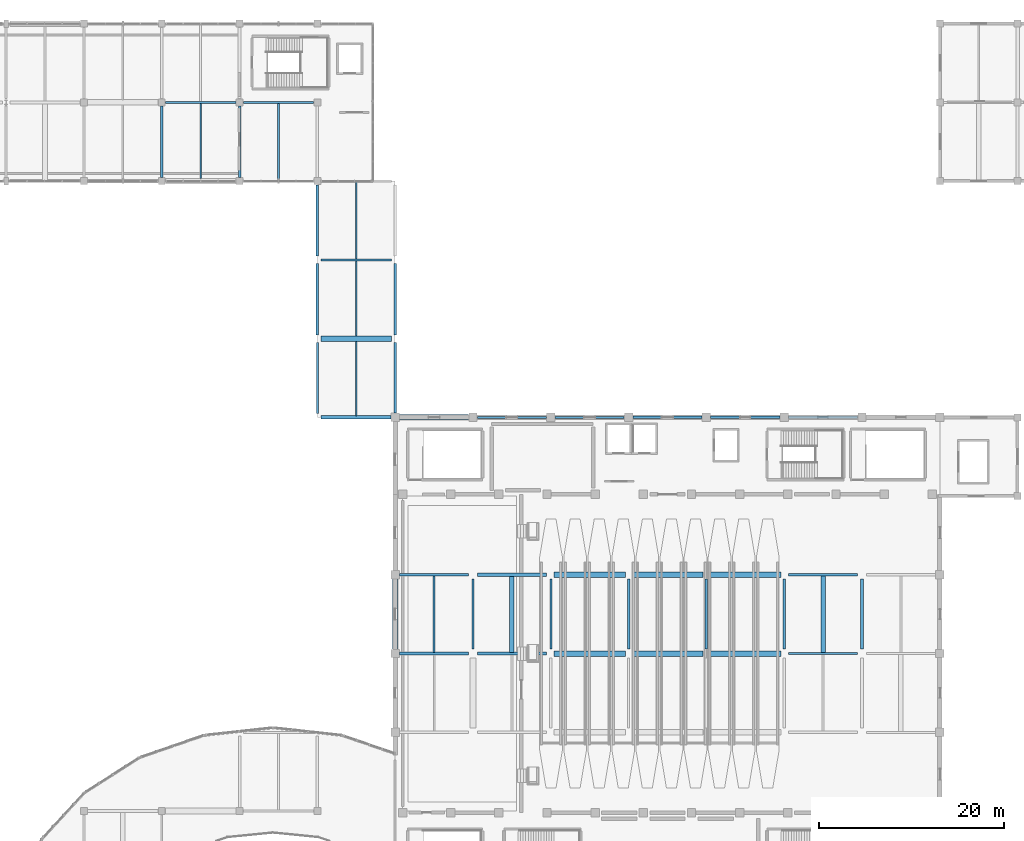
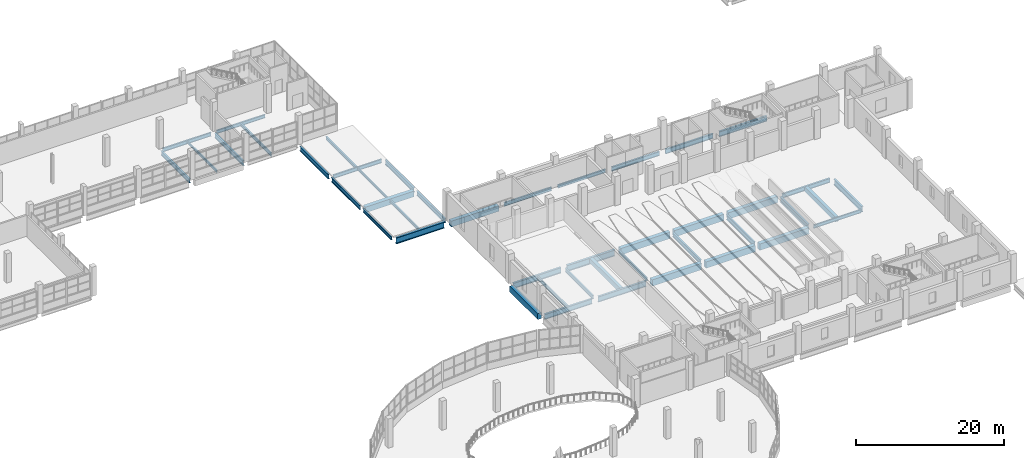
# One storey, part 45 of 117: 45 beams.
"""IFC4 building model written with IfcOpenShell, lengths in metres."""

import ifcopenshell
import ifcopenshell.guid

model = None  # the IFC model being written
_history = None  # IfcOwnerHistory: only IFC2X3 demands one
_inside = {}  # id of a spatial element -> (the spatial element, [elements in it])
_under = {}  # id of a project, library or spatial element -> (it, [spatial elements below it])
_declared = {}  # id of a project -> (the project, [libraries it declares])
_typed = {}  # id of a type object -> (the type object, [elements of that type])
_made_of = {}  # id of a material, layer set ... -> (it, [elements and type objects made of it])


def new_model(schema):
    """Start an empty IFC model of exactly this schema.

    Asked for "IFC4X3", IfcOpenShell would pick the latest addendum, in which some entities
    have other attributes; the version numbers below select the first issue.
    IFC2X3 requires an IfcOwnerHistory on every rooted entity: one is made here for all.
    """
    global model, _history
    if schema == "IFC4X3":
        model = ifcopenshell.file(schema_version=(4, 3, 0, 0))
    else:
        model = ifcopenshell.file(schema=schema)
    _inside.clear()
    _under.clear()
    _declared.clear()
    _typed.clear()
    _made_of.clear()
    _history = None
    if model.schema == "IFC2X3":
        org = make("IfcOrganization", Name="unknown")
        user = make(
            "IfcPersonAndOrganization",
            ThePerson=make("IfcPerson", FamilyName="unknown"),
            TheOrganization=org,
        )
        app = make(
            "IfcApplication",
            ApplicationDeveloper=org,
            Version="unknown",
            ApplicationFullName="unknown",
            ApplicationIdentifier="unknown",
        )
        _history = make(
            "IfcOwnerHistory",
            OwningUser=user,
            OwningApplication=app,
            ChangeAction="ADDED",
            CreationDate=0,
        )
    return model


def make(cls, **values):
    """One entity of the class cls with the attributes given. An attribute that is None is left unset."""
    return model.create_entity(
        cls, **{name: value for name, value in values.items() if value is not None}
    )


def rooted(cls, **values):
    """An entity with a GlobalId (a new one), such as an element, a storey or a relation."""
    return make(cls, GlobalId=ifcopenshell.guid.new(), OwnerHistory=_history, **values)


def si_unit(unit_type, name, prefix=None):
    """IfcSIUnit, for example si_unit("LENGTHUNIT", "METRE", prefix="MILLI")."""
    return make("IfcSIUnit", UnitType=unit_type, Prefix=prefix, Name=name)


def assignment(units):
    """IfcUnitAssignment: the units of a project."""
    return None if units is None else make("IfcUnitAssignment", Units=units)


def point(xyz):
    """IfcCartesianPoint."""
    return None if xyz is None else make("IfcCartesianPoint", Coordinates=xyz)


def direction(xyz):
    """IfcDirection."""
    return None if xyz is None else make("IfcDirection", DirectionRatios=xyz)


def frame(location, z_axis=None, x_axis=None):
    """IfcAxis2Placement3D, a coordinate frame: its origin and axes. An axis left out is left unset."""
    return make(
        "IfcAxis2Placement3D",
        Location=point(location),
        Axis=direction(z_axis),
        RefDirection=direction(x_axis),
    )


def frame_2d(location, x_axis=None):
    """IfcAxis2Placement2D, a coordinate frame in the plane: its origin and x axis."""
    return make(
        "IfcAxis2Placement2D", Location=point(location), RefDirection=direction(x_axis)
    )


def origin():
    """The frame at (0, 0, 0) with its axes left unset."""
    return frame((0.0, 0.0, 0.0))


def origin_2d():
    """The frame at (0, 0) in the plane with its x axis left unset."""
    return frame_2d((0.0, 0.0))


def place(relative_to, where):
    """IfcLocalPlacement: puts the frame where relative to a parent placement (None: the world)."""
    return make(
        "IfcLocalPlacement", PlacementRelTo=relative_to, RelativePlacement=where
    )


def context(
    kind, dimensions, precision=None, world=None, true_north=None, identifier=None
):
    """IfcGeometricRepresentationContext, for example the 3D "Model" context."""
    return make(
        "IfcGeometricRepresentationContext",
        ContextIdentifier=identifier,
        ContextType=kind,
        CoordinateSpaceDimension=dimensions,
        Precision=precision,
        WorldCoordinateSystem=world,
        TrueNorth=true_north,
    )


def subcontext(parent, identifier, kind, view, scale=None):
    """IfcGeometricRepresentationSubContext, for example "Body" below "Model"."""
    return make(
        "IfcGeometricRepresentationSubContext",
        ContextIdentifier=identifier,
        ContextType=kind,
        ParentContext=parent,
        TargetScale=scale,
        TargetView=view,
    )


def project(units=None, contexts=None):
    """IfcProject with its units and contexts."""
    return rooted(
        "IfcProject",
        Name="project",
        RepresentationContexts=contexts,
        UnitsInContext=assignment(units),
    )


def spatial(cls, under=None, at=None, **own):
    """A site, building, storey or space (cls), placed at a placement, below another one or the project."""
    s = rooted(cls, ObjectPlacement=at, **own)
    if under is not None:
        _under.setdefault(under.id(), (under, []))[1].append(s)
    return s


def profile(cls, at=None, kind="AREA", **sizes):
    """A parametric profile (cls). Its sizes go by their IFC names, for example OverallWidth=200.0."""
    return make(cls, ProfileType=kind, Position=at, **sizes)


def rectangle(**sizes):
    """IfcRectangleProfileDef."""
    return profile("IfcRectangleProfileDef", **sizes)


def i_section(**sizes):
    """IfcIShapeProfileDef."""
    return profile("IfcIShapeProfileDef", **sizes)


def extrude(swept, where, along, depth):
    """IfcExtrudedAreaSolid: the profile swept, set in the frame where, extruded along a direction by depth."""
    return make(
        "IfcExtrudedAreaSolid",
        SweptArea=swept,
        Position=where,
        ExtrudedDirection=direction(along),
        Depth=depth,
    )


def shape(context_of_items, identifier, shape_type, items):
    """IfcShapeRepresentation: the items that make up one representation, for example the "Body"."""
    return make(
        "IfcShapeRepresentation",
        ContextOfItems=context_of_items,
        RepresentationIdentifier=identifier,
        RepresentationType=shape_type,
        Items=items,
    )


def material(Name=None, Category=None):
    """IfcMaterial."""
    return make("IfcMaterial", Name=Name, Category=Category)


def material_profile(
    of_material, cross_section, Name=None, Category=None, Priority=None
):
    """IfcMaterialProfile: a cross section and its material."""
    return make(
        "IfcMaterialProfile",
        Name=Name,
        Material=of_material,
        Profile=cross_section,
        Priority=Priority,
        Category=Category,
    )


def profile_set(profiles, Name=None, composite=None):
    """IfcMaterialProfileSet."""
    return make(
        "IfcMaterialProfileSet",
        Name=Name,
        MaterialProfiles=profiles,
        CompositeProfile=composite,
    )


def made_of(thing, what):
    """Note that an element or type object is made of a material, layer set ...; save() writes the relation."""
    if what is not None:
        _made_of.setdefault(what.id(), (what, []))[1].append(thing)
    return thing


def type_object(cls, material=None, **own):
    """A type object (cls), such as IfcWallType, which elements share."""
    return made_of(rooted(cls, **own), material)


def element(
    cls,
    number,
    at=None,
    inside=None,
    cuts=None,
    type_object=None,
    material=None,
    context=None,
    identifier="Body",
    shape_type=None,
    held_by="IfcProductDefinitionShape",
    body=None,
    shapes=None,
    **own,
):
    """One element of the class cls, such as IfcWall. Its Tag is "e" and its number.

    at: its placement. inside: the storey or other place that contains it. cuts: it is an
    opening in that element (IfcRelVoidsElement). A single representation is given by context,
    identifier, shape_type and body (its items); several are given by shapes. held_by: the class
    of the entity that holds the representations. save() writes the other relations.
    """
    e = rooted(cls, Tag="e%d" % number, ObjectPlacement=at, **own)
    if body is not None:
        shapes = [shape(context, identifier, shape_type, body)]
    if shapes is not None:
        e.Representation = make(held_by, Representations=shapes)
    if inside is not None:
        _inside.setdefault(inside.id(), (inside, []))[1].append(e)
    if cuts is not None:
        rooted(
            "IfcRelVoidsElement", RelatingBuildingElement=cuts, RelatedOpeningElement=e
        )
    if type_object is not None:
        _typed.setdefault(type_object.id(), (type_object, []))[1].append(e)
    return made_of(e, material)


def aggregate(whole, parts):
    """IfcRelAggregates: a whole, such as a stair, and the parts it consists of."""
    return rooted("IfcRelAggregates", RelatingObject=whole, RelatedObjects=parts)


def save(model, path):
    """Write the relations noted so far, then the file.

    IfcRelAggregates (storeys below a building ...), IfcRelContainedInSpatialStructure (elements
    in a storey), IfcRelDefinesByType, IfcRelAssociatesMaterial and IfcRelDeclares: one each for
    every whole, place, type object, material and project.
    """
    for whole, parts in _under.values():
        aggregate(whole, parts)
    for where, things in _inside.values():
        rooted(
            "IfcRelContainedInSpatialStructure",
            RelatedElements=things,
            RelatingStructure=where,
        )
    for kind, things in _typed.values():
        rooted("IfcRelDefinesByType", RelatedObjects=things, RelatingType=kind)
    for what, things in _made_of.values():
        rooted("IfcRelAssociatesMaterial", RelatedObjects=things, RelatingMaterial=what)
    for by, libraries in _declared.values():
        rooted("IfcRelDeclares", RelatingContext=by, RelatedDefinitions=libraries)
    model.write(path)


model = new_model("IFC4")

# Units and contexts
model_context = context("Model", 3, precision=1e-05, world=origin(), true_north=direction((0.0, 1.0)))
body_context = subcontext(model_context, "Body", "Model", "MODEL_VIEW")
ifc_project = project(units=[si_unit("LENGTHUNIT", "METRE"), si_unit("AREAUNIT", "SQUARE_METRE"), si_unit("VOLUMEUNIT", "CUBIC_METRE"), si_unit("PLANEANGLEUNIT", "RADIAN"), si_unit("MASSUNIT", "GRAM", prefix="KILO")], contexts=[model_context])

# Site, building, storey
site_placement = place(None, origin())
site = spatial("IfcSite", under=ifc_project, at=site_placement, CompositionType="ELEMENT")
building_placement = place(site_placement, origin())
building = spatial("IfcBuilding", under=site, at=building_placement, Name="Solvento Point Concert Hall", CompositionType="ELEMENT")
storey_placement = place(building_placement, frame((0.0, 0.0, 5.39990234375)))
storey = spatial("IfcBuildingStorey", under=building, at=storey_placement, Name="L01", CompositionType="ELEMENT", Elevation=5.39990234375)

# Beams
ifc_material_1 = material(Name="Concrete C35/45", Category="concrete")
ifc_material_profile_1 = material_profile(ifc_material_1, rectangle(XDim=0.5, YDim=0.800048828125, at=origin_2d()), Name="RC-BM-500X800")
ifc_profile_set_1 = profile_set([ifc_material_profile_1], Name="Concrete C35/45")
beam_type_1 = type_object("IfcBeamType", Name="Beam_RC_500x800", PredefinedType="BEAM", material=ifc_profile_set_1)
beam_1_placement = place(storey_placement, frame((87.0, 68.138916015625, -0.823974609375), z_axis=(0.0, 1.0, 0.0), x_axis=(-1.0, 0.0, 0.0)))
element("IfcBeam", 1, at=beam_1_placement, inside=storey, type_object=beam_type_1, Name="Secondary floor joist B-63 L01", PredefinedType="BEAM", context=body_context, shape_type="SweptSolid", body=[
    extrude(rectangle(XDim=0.5, YDim=0.800048828125, at=origin_2d()), origin(), (0.0, 0.0, 1.0), 8.195556640625),
])
beam_2_placement = place(storey_placement, frame((120.60009765625, 68.092041015625, -0.823974609375), z_axis=(0.0, 1.0, 0.0), x_axis=(-1.0, 0.0, 0.0)))
element("IfcBeam", 2, at=beam_2_placement, inside=storey, type_object=beam_type_1, Name="Secondary floor joist B-63 L01", PredefinedType="BEAM", context=body_context, shape_type="SweptSolid", body=[
    extrude(rectangle(XDim=0.5, YDim=0.800048828125, at=origin_2d()), origin(), (0.0, 0.0, 1.0), 8.294921875),
])
ifc_material_2 = material(Name="Structural Steel ASTM A992 Grade 50", Category="steel")
ifc_material_profile_2 = material_profile(ifc_material_2, i_section(OverallWidth=0.20947265625, OverallDepth=0.532958984375, WebThickness=0.01025390625, FlangeThickness=0.015625, at=origin_2d()), Name="W21X62")
ifc_profile_set_2 = profile_set([ifc_material_profile_2], Name="Structural Steel ASTM A992 Grade 50")
beam_type_2 = type_object("IfcBeamType", Name="Beam_W21X62", PredefinedType="BEAM", material=ifc_profile_set_2)
for number, where, z_axis, x_axis, name in (
    (3, (61.800048828125, 119.09912109375, -0.55029296875), (0.0, 1.0, 0.0), (-1.0, 0.0, 0.0), "Secondary floor joist B-25 L01"),
    (4, (70.199951171875, 110.59912109375, -0.55029296875), (0.0, 1.0, 0.0), (-1.0, 0.0, 0.0), "Secondary floor joist B-25 L01"),
):
    element("IfcBeam", number, at=place(storey_placement, frame(where, z_axis=z_axis, x_axis=x_axis)), inside=storey, type_object=beam_type_2, Name=name, PredefinedType="BEAM", context=body_context, shape_type="SweptSolid", body=[
        extrude(i_section(OverallWidth=0.20947265625, OverallDepth=0.532958984375, WebThickness=0.01025390625, FlangeThickness=0.015625, at=origin_2d()), origin(), (0.0, 0.0, 1.0), 8.308837890625),
    ])
beam_3_placement = place(storey_placement, frame((78.60009765625, 68.131103515625, -0.6904296875), z_axis=(0.0, 1.0, 0.0), x_axis=(-1.0, 0.0, 0.0)))
element("IfcBeam", 5, at=beam_3_placement, inside=storey, type_object=beam_type_2, Name="Secondary floor joist B-25 L01", PredefinedType="BEAM", context=body_context, shape_type="SweptSolid", body=[
    extrude(i_section(OverallWidth=0.20947265625, OverallDepth=0.532958984375, WebThickness=0.01025390625, FlangeThickness=0.015625, at=origin_2d()), origin(), (0.0, 0.0, 1.0), 8.22998046875),
])
ifc_material_3 = material(Name="Structural Steel ASTM A992 Grade 50", Category="steel")
ifc_material_profile_3 = material_profile(ifc_material_3, i_section(OverallWidth=0.214111328125, OverallDepth=0.549072265625, WebThickness=0.0146484375, FlangeThickness=0.023681640625, at=origin_2d()), Name="W21X93")
ifc_profile_set_3 = profile_set([ifc_material_profile_3], Name="Structural Steel ASTM A992 Grade 50")
beam_type_3 = type_object("IfcBeamType", Name="Beam_W21X93", PredefinedType="BEAM", material=ifc_profile_set_3)
for number, where, z_axis, x_axis, name in (
    (6, (116.868896484375, 68.0, -0.698486328125), (1.0, 0.0, 0.0), (0.0, 1.0, 0.0), "Primary girder B-48 L01"),
    (7, (91.6689453125, 93.5, -0.698486328125), (1.0, 0.0, 0.0), (0.0, 1.0, 0.0), "Primary girder B-48 L01"),
):
    element("IfcBeam", number, at=place(storey_placement, frame(where, z_axis=z_axis, x_axis=x_axis)), inside=storey, type_object=beam_type_3, Name=name, PredefinedType="BEAM", context=body_context, shape_type="SweptSolid", body=[
        extrude(i_section(OverallWidth=0.214111328125, OverallDepth=0.549072265625, WebThickness=0.0146484375, FlangeThickness=0.023681640625, at=origin_2d()), origin(), (0.0, 0.0, 1.0), 7.462158203125),
    ])
beam_4_placement = place(storey_placement, frame((58.00390625, 127.5, -0.558349609375), z_axis=(1.0, 0.0, 0.0), x_axis=(0.0, 1.0, 0.0)))
element("IfcBeam", 8, at=beam_4_placement, inside=storey, type_object=beam_type_3, Name="Primary girder B-48 L01", PredefinedType="BEAM", context=body_context, shape_type="SweptSolid", body=[
    extrude(i_section(OverallWidth=0.214111328125, OverallDepth=0.549072265625, WebThickness=0.0146484375, FlangeThickness=0.023681640625, at=origin_2d()), origin(), (0.0, 0.0, 1.0), 7.592041015625),
])
beam_5_placement = place(storey_placement, frame((66.0, 93.904052734375, -0.538330078125), z_axis=(0.0, 1.0, 0.0), x_axis=(-1.0, 0.0, 0.0)))
element("IfcBeam", 9, at=beam_5_placement, inside=storey, type_object=beam_type_3, Name="Primary girder B-48 L01", PredefinedType="BEAM", context=body_context, shape_type="SweptSolid", body=[
    extrude(i_section(OverallWidth=0.214111328125, OverallDepth=0.549072265625, WebThickness=0.0146484375, FlangeThickness=0.023681640625, at=origin_2d()), origin(), (0.0, 0.0, 1.0), 7.69189453125),
])
beam_6_placement = place(storey_placement, frame((91.199951171875, 68.468994140625, -0.698486328125), z_axis=(0.0, 1.0, 0.0), x_axis=(-1.0, 0.0, 0.0)))
element("IfcBeam", 10, at=beam_6_placement, inside=storey, type_object=beam_type_3, Name="Primary girder B-48 L01", PredefinedType="BEAM", context=body_context, shape_type="SweptSolid", body=[
    extrude(i_section(OverallWidth=0.214111328125, OverallDepth=0.549072265625, WebThickness=0.0146484375, FlangeThickness=0.023681640625, at=origin_2d()), origin(), (0.0, 0.0, 1.0), 7.56201171875),
])
ifc_material_4 = material(Name="Structural Steel ASTM A992 Grade 50", Category="steel")
ifc_material_profile_4 = material_profile(ifc_material_4, i_section(OverallWidth=0.228515625, OverallDepth=0.60791015625, WebThickness=0.01123046875, FlangeThickness=0.017333984375, at=origin_2d()), Name="W24X76")
ifc_profile_set_4 = profile_set([ifc_material_profile_4], Name="Structural Steel ASTM A992 Grade 50")
beam_type_4 = type_object("IfcBeamType", Name="Beam_W24X76", PredefinedType="BEAM", material=ifc_profile_set_4)
beam_7_placement = place(storey_placement, frame((83.26904296875, 93.5, -0.727783203125), z_axis=(1.0, 0.0, 0.0), x_axis=(0.0, 1.0, 0.0)))
element("IfcBeam", 11, at=beam_7_placement, inside=storey, type_object=beam_type_4, Name="Primary girder B-42 L01", PredefinedType="BEAM", context=body_context, shape_type="SweptSolid", body=[
    extrude(i_section(OverallWidth=0.228515625, OverallDepth=0.60791015625, WebThickness=0.01123046875, FlangeThickness=0.017333984375, at=origin_2d()), origin(), (0.0, 0.0, 1.0), 7.4619140625),
])
for number, where, z_axis, x_axis, name in (
    (12, (66.404052734375, 110.5, -0.56787109375), (1.0, 0.0, 0.0), (0.0, 1.0, 0.0), "Primary girder B-42 L01"),
    (13, (49.60400390625, 127.5, -0.587890625), (1.0, 0.0, 0.0), (0.0, 1.0, 0.0), "Primary girder B-42 L01"),
):
    element("IfcBeam", number, at=place(storey_placement, frame(where, z_axis=z_axis, x_axis=x_axis)), inside=storey, type_object=beam_type_4, Name=name, PredefinedType="BEAM", context=body_context, shape_type="SweptSolid", body=[
        extrude(i_section(OverallWidth=0.228515625, OverallDepth=0.60791015625, WebThickness=0.01123046875, FlangeThickness=0.017333984375, at=origin_2d()), origin(), (0.0, 0.0, 1.0), 7.592041015625),
    ])
beam_8_placement = place(storey_placement, frame((82.800048828125, 68.468994140625, -0.727783203125), z_axis=(0.0, 1.0, 0.0), x_axis=(-1.0, 0.0, 0.0)))
element("IfcBeam", 14, at=beam_8_placement, inside=storey, type_object=beam_type_4, Name="Primary girder B-42 L01", PredefinedType="BEAM", context=body_context, shape_type="SweptSolid", body=[
    extrude(i_section(OverallWidth=0.228515625, OverallDepth=0.60791015625, WebThickness=0.01123046875, FlangeThickness=0.017333984375, at=origin_2d()), origin(), (0.0, 0.0, 1.0), 7.56201171875),
])
ifc_material_5 = material(Name="Concrete C35/45", Category="concrete")
ifc_material_profile_5 = material_profile(ifc_material_5, rectangle(XDim=0.60009765625, YDim=0.93994140625, at=origin_2d()), Name="RC-BM-600X940")
ifc_profile_set_5 = profile_set([ifc_material_profile_5], Name="Concrete C35/45")
beam_type_5 = type_object("IfcBeamType", Name="Girder_RC_600x940", PredefinedType="USERDEFINED", material=ifc_profile_set_5)
beam_9_placement = place(storey_placement, frame((74.868896484375, 93.5, -0.893798828125), z_axis=(1.0, 0.0, 0.0), x_axis=(0.0, 1.0, 0.0)))
element("IfcBeam", 15, at=beam_9_placement, inside=storey, type_object=beam_type_5, Name="Primary girder B-34 L01", ObjectType="GIRDER", PredefinedType="USERDEFINED", context=body_context, shape_type="SweptSolid", body=[
    extrude(rectangle(XDim=0.60009765625, YDim=0.93994140625, at=origin_2d()), origin(), (0.0, 0.0, 1.0), 7.462158203125),
])
beam_10_placement = place(storey_placement, frame((66.404052734375, 102.0, -0.73388671875), z_axis=(1.0, 0.0, 0.0), x_axis=(0.0, 1.0, 0.0)))
element("IfcBeam", 16, at=beam_10_placement, inside=storey, type_object=beam_type_5, Name="Primary girder B-34 L01", ObjectType="GIRDER", PredefinedType="USERDEFINED", context=body_context, shape_type="SweptSolid", body=[
    extrude(rectangle(XDim=0.60009765625, YDim=0.93994140625, at=origin_2d()), origin(), (0.0, 0.0, 1.0), 7.592041015625),
])
beam_11_placement = place(storey_placement, frame((74.39990234375, 68.468994140625, -0.893798828125), z_axis=(0.0, 1.0, 0.0), x_axis=(-1.0, 0.0, 0.0)))
element("IfcBeam", 17, at=beam_11_placement, inside=storey, type_object=beam_type_5, Name="Primary girder B-34 L01", ObjectType="GIRDER", PredefinedType="USERDEFINED", context=body_context, shape_type="SweptSolid", body=[
    extrude(rectangle(XDim=0.60009765625, YDim=0.93994140625, at=origin_2d()), origin(), (0.0, 0.0, 1.0), 7.56201171875),
])
ifc_material_6 = material(Name="Structural Steel ASTM A992 Grade 50", Category="steel")
ifc_material_profile_6 = material_profile(ifc_material_6, i_section(OverallWidth=0.256103515625, OverallDepth=0.693115234375, WebThickness=0.014404296875, FlangeThickness=0.023681640625, at=origin_2d()), Name="W27X114")
ifc_profile_set_6 = profile_set([ifc_material_profile_6], Name="Structural Steel ASTM A992 Grade 50")
beam_type_6 = type_object("IfcBeamType", Name="Girder_W27X114", PredefinedType="USERDEFINED", material=ifc_profile_set_6)
beam_12_placement = place(storey_placement, frame((116.868896484375, 76.5, -0.7705078125), z_axis=(1.0, 0.0, 0.0), x_axis=(0.0, 1.0, 0.0)))
element("IfcBeam", 18, at=beam_12_placement, inside=storey, type_object=beam_type_6, Name="Primary girder B-23 L01", ObjectType="GIRDER", PredefinedType="USERDEFINED", context=body_context, shape_type="SweptSolid", body=[
    extrude(i_section(OverallWidth=0.256103515625, OverallDepth=0.693115234375, WebThickness=0.014404296875, FlangeThickness=0.023681640625, at=origin_2d()), origin(), (0.0, 0.0, 1.0), 7.462158203125),
])
beam_13_placement = place(storey_placement, frame((100.069091796875, 93.5, -0.7705078125), z_axis=(1.0, 0.0, 0.0), x_axis=(0.0, 1.0, 0.0)))
element("IfcBeam", 19, at=beam_13_placement, inside=storey, type_object=beam_type_6, Name="Primary girder B-23 L01", ObjectType="GIRDER", PredefinedType="USERDEFINED", context=body_context, shape_type="SweptSolid", body=[
    extrude(i_section(OverallWidth=0.256103515625, OverallDepth=0.693115234375, WebThickness=0.014404296875, FlangeThickness=0.023681640625, at=origin_2d()), origin(), (0.0, 0.0, 1.0), 7.4619140625),
])
for number, where, z_axis, x_axis, name in (
    (20, (49.199951171875, 119.404052734375, -0.63037109375), (0.0, 1.0, 0.0), (-1.0, 0.0, 0.0), "Primary girder B-23 L01"),
    (21, (66.0, 102.404052734375, -0.6103515625), (0.0, 1.0, 0.0), (-1.0, 0.0, 0.0), "Primary girder B-23 L01"),
):
    element("IfcBeam", number, at=place(storey_placement, frame(where, z_axis=z_axis, x_axis=x_axis)), inside=storey, type_object=beam_type_6, Name=name, ObjectType="GIRDER", PredefinedType="USERDEFINED", context=body_context, shape_type="SweptSolid", body=[
        extrude(i_section(OverallWidth=0.256103515625, OverallDepth=0.693115234375, WebThickness=0.014404296875, FlangeThickness=0.023681640625, at=origin_2d()), origin(), (0.0, 0.0, 1.0), 7.69189453125),
    ])
beam_14_placement = place(storey_placement, frame((74.39990234375, 93.968994140625, -0.6103515625), z_axis=(0.0, 1.0, 0.0), x_axis=(-1.0, 0.0, 0.0)))
element("IfcBeam", 22, at=beam_14_placement, inside=storey, type_object=beam_type_6, Name="Primary girder B-23 L01", ObjectType="GIRDER", PredefinedType="USERDEFINED", context=body_context, shape_type="SweptSolid", body=[
    extrude(i_section(OverallWidth=0.256103515625, OverallDepth=0.693115234375, WebThickness=0.014404296875, FlangeThickness=0.023681640625, at=origin_2d()), origin(), (0.0, 0.0, 1.0), 7.626953125),
])
beam_15_placement = place(storey_placement, frame((99.60009765625, 68.468994140625, -0.7705078125), z_axis=(0.0, 1.0, 0.0), x_axis=(-1.0, 0.0, 0.0)))
element("IfcBeam", 23, at=beam_15_placement, inside=storey, type_object=beam_type_6, Name="Primary girder B-23 L01", ObjectType="GIRDER", PredefinedType="USERDEFINED", context=body_context, shape_type="SweptSolid", body=[
    extrude(i_section(OverallWidth=0.256103515625, OverallDepth=0.693115234375, WebThickness=0.014404296875, FlangeThickness=0.023681640625, at=origin_2d()), origin(), (0.0, 0.0, 1.0), 7.56201171875),
])
ifc_material_7 = material(Name="Structural Steel ASTM A992 Grade 50", Category="steel")
ifc_material_profile_7 = material_profile(ifc_material_7, i_section(OverallWidth=0.26806640625, OverallDepth=0.77001953125, WebThickness=0.015625, FlangeThickness=0.025390625, at=origin_2d()), Name="W30X132")
ifc_profile_set_7 = profile_set([ifc_material_profile_7], Name="Structural Steel ASTM A992 Grade 50")
beam_type_7 = type_object("IfcBeamType", Name="Girder_W30X132", PredefinedType="USERDEFINED", material=ifc_profile_set_7)
beam_16_placement = place(storey_placement, frame((108.468994140625, 93.5, -0.808837890625), z_axis=(1.0, 0.0, 0.0), x_axis=(0.0, 1.0, 0.0)))
element("IfcBeam", 24, at=beam_16_placement, inside=storey, type_object=beam_type_7, Name="Primary girder B-68 L01", ObjectType="GIRDER", PredefinedType="USERDEFINED", context=body_context, shape_type="SweptSolid", body=[
    extrude(i_section(OverallWidth=0.26806640625, OverallDepth=0.77001953125, WebThickness=0.015625, FlangeThickness=0.025390625, at=origin_2d()), origin(), (0.0, 0.0, 1.0), 7.4619140625),
])
for number, where, z_axis, x_axis, name in (
    (25, (57.60009765625, 119.404052734375, -0.6689453125), (0.0, 1.0, 0.0), (-1.0, 0.0, 0.0), "Primary girder B-68 L01"),
    (26, (66.0, 110.904052734375, -0.64892578125), (0.0, 1.0, 0.0), (-1.0, 0.0, 0.0), "Primary girder B-68 L01"),
    (27, (74.39990234375, 102.404052734375, -0.64892578125), (0.0, 1.0, 0.0), (-1.0, 0.0, 0.0), "Primary girder B-68 L01"),
):
    element("IfcBeam", number, at=place(storey_placement, frame(where, z_axis=z_axis, x_axis=x_axis)), inside=storey, type_object=beam_type_7, Name=name, ObjectType="GIRDER", PredefinedType="USERDEFINED", context=body_context, shape_type="SweptSolid", body=[
        extrude(i_section(OverallWidth=0.26806640625, OverallDepth=0.77001953125, WebThickness=0.015625, FlangeThickness=0.025390625, at=origin_2d()), origin(), (0.0, 0.0, 1.0), 7.69189453125),
    ])
beam_17_placement = place(storey_placement, frame((108.0, 68.468994140625, -0.808837890625), z_axis=(0.0, 1.0, 0.0), x_axis=(-1.0, 0.0, 0.0)))
element("IfcBeam", 28, at=beam_17_placement, inside=storey, type_object=beam_type_7, Name="Primary girder B-68 L01", ObjectType="GIRDER", PredefinedType="USERDEFINED", context=body_context, shape_type="SweptSolid", body=[
    extrude(i_section(OverallWidth=0.26806640625, OverallDepth=0.77001953125, WebThickness=0.015625, FlangeThickness=0.025390625, at=origin_2d()), origin(), (0.0, 0.0, 1.0), 7.56201171875),
])
ifc_material_8 = material(Name="Structural Steel ASTM A992 Grade 50", Category="steel")
ifc_material_profile_8 = material_profile(ifc_material_8, i_section(OverallWidth=0.2919921875, OverallDepth=0.85888671875, WebThickness=0.01708984375, FlangeThickness=0.031005859375, at=origin_2d()), Name="W33X169")
ifc_profile_set_8 = profile_set([ifc_material_profile_8], Name="Structural Steel ASTM A992 Grade 50")
beam_type_8 = type_object("IfcBeamType", Name="Girder_W33X169", PredefinedType="USERDEFINED", material=ifc_profile_set_8)
for number, where, z_axis, x_axis, name in (
    (29, (74.868896484375, 68.0, -0.853515625), (1.0, 0.0, 0.0), (0.0, 1.0, 0.0), "Primary girder B-33 L01"),
    (30, (116.868896484375, 93.5, -0.853515625), (1.0, 0.0, 0.0), (0.0, 1.0, 0.0), "Primary girder B-33 L01"),
):
    element("IfcBeam", number, at=place(storey_placement, frame(where, z_axis=z_axis, x_axis=x_axis)), inside=storey, type_object=beam_type_8, Name=name, ObjectType="GIRDER", PredefinedType="USERDEFINED", context=body_context, shape_type="SweptSolid", body=[
        extrude(i_section(OverallWidth=0.2919921875, OverallDepth=0.85888671875, WebThickness=0.01708984375, FlangeThickness=0.031005859375, at=origin_2d()), origin(), (0.0, 0.0, 1.0), 7.462158203125),
    ])
beam_18_placement = place(storey_placement, frame((116.39990234375, 68.468994140625, -0.853515625), z_axis=(0.0, 1.0, 0.0), x_axis=(-1.0, 0.0, 0.0)))
element("IfcBeam", 31, at=beam_18_placement, inside=storey, type_object=beam_type_8, Name="Primary girder B-33 L01", ObjectType="GIRDER", PredefinedType="USERDEFINED", context=body_context, shape_type="SweptSolid", body=[
    extrude(i_section(OverallWidth=0.2919921875, OverallDepth=0.85888671875, WebThickness=0.01708984375, FlangeThickness=0.031005859375, at=origin_2d()), origin(), (0.0, 0.0, 1.0), 7.56201171875),
])
ifc_material_9 = material(Name="Structural Steel ASTM A992 Grade 50", Category="steel")
ifc_material_profile_9 = material_profile(ifc_material_9, i_section(OverallWidth=0.3076171875, OverallDepth=0.927001953125, WebThickness=0.019287109375, FlangeThickness=0.031982421875, at=origin_2d()), Name="W36X194")
ifc_profile_set_9 = profile_set([ifc_material_profile_9], Name="Structural Steel ASTM A992 Grade 50")
beam_type_9 = type_object("IfcBeamType", Name="Girder_W36X194", PredefinedType="USERDEFINED", material=ifc_profile_set_9)
beam_19_placement = place(storey_placement, frame((83.26904296875, 68.0, -0.887451171875), z_axis=(1.0, 0.0, 0.0), x_axis=(0.0, 1.0, 0.0)))
element("IfcBeam", 32, at=beam_19_placement, inside=storey, type_object=beam_type_9, Name="Primary girder B-61 L01", ObjectType="GIRDER", PredefinedType="USERDEFINED", context=body_context, shape_type="SweptSolid", body=[
    extrude(i_section(OverallWidth=0.3076171875, OverallDepth=0.927001953125, WebThickness=0.019287109375, FlangeThickness=0.031982421875, at=origin_2d()), origin(), (0.0, 0.0, 1.0), 7.4619140625),
])
beam_20_placement = place(storey_placement, frame((74.868896484375, 76.5, -0.887451171875), z_axis=(1.0, 0.0, 0.0), x_axis=(0.0, 1.0, 0.0)))
element("IfcBeam", 33, at=beam_20_placement, inside=storey, type_object=beam_type_9, Name="Primary girder B-61 L01", ObjectType="GIRDER", PredefinedType="USERDEFINED", context=body_context, shape_type="SweptSolid", body=[
    extrude(i_section(OverallWidth=0.3076171875, OverallDepth=0.927001953125, WebThickness=0.019287109375, FlangeThickness=0.031982421875, at=origin_2d()), origin(), (0.0, 0.0, 1.0), 7.462158203125),
])
beam_21_placement = place(storey_placement, frame((124.800048828125, 68.468994140625, -0.887451171875), z_axis=(0.0, 1.0, 0.0), x_axis=(-1.0, 0.0, 0.0)))
element("IfcBeam", 34, at=beam_21_placement, inside=storey, type_object=beam_type_9, Name="Primary girder B-61 L01", ObjectType="GIRDER", PredefinedType="USERDEFINED", context=body_context, shape_type="SweptSolid", body=[
    extrude(i_section(OverallWidth=0.3076171875, OverallDepth=0.927001953125, WebThickness=0.019287109375, FlangeThickness=0.031982421875, at=origin_2d()), origin(), (0.0, 0.0, 1.0), 7.56201171875),
])
ifc_material_10 = material(Name="Structural Steel ASTM A992 Grade 50", Category="steel")
ifc_material_profile_10 = material_profile(ifc_material_10, i_section(OverallWidth=0.361083984375, OverallDepth=1.02587890625, WebThickness=0.01904296875, FlangeThickness=0.0361328125, at=origin_2d()), Name="W40X249")
ifc_profile_set_10 = profile_set([ifc_material_profile_10], Name="Structural Steel ASTM A992 Grade 50")
beam_type_10 = type_object("IfcBeamType", Name="Girder_W40X249", PredefinedType="USERDEFINED", material=ifc_profile_set_10)
beam_22_placement = place(storey_placement, frame((83.26904296875, 76.5, -0.93701171875), z_axis=(1.0, 0.0, 0.0), x_axis=(0.0, 1.0, 0.0)))
element("IfcBeam", 35, at=beam_22_placement, inside=storey, type_object=beam_type_10, Name="Primary girder B-29 L01", ObjectType="GIRDER", PredefinedType="USERDEFINED", context=body_context, shape_type="SweptSolid", body=[
    extrude(i_section(OverallWidth=0.361083984375, OverallDepth=1.02587890625, WebThickness=0.01904296875, FlangeThickness=0.0361328125, at=origin_2d()), origin(), (0.0, 0.0, 1.0), 7.4619140625),
])
beam_23_placement = place(storey_placement, frame((66.404052734375, 93.5, -0.77685546875), z_axis=(1.0, 0.0, 0.0), x_axis=(0.0, 1.0, 0.0)))
element("IfcBeam", 36, at=beam_23_placement, inside=storey, type_object=beam_type_10, Name="Primary girder B-29 L01", ObjectType="GIRDER", PredefinedType="USERDEFINED", context=body_context, shape_type="SweptSolid", body=[
    extrude(i_section(OverallWidth=0.361083984375, OverallDepth=1.02587890625, WebThickness=0.01904296875, FlangeThickness=0.0361328125, at=origin_2d()), origin(), (0.0, 0.0, 1.0), 7.52685546875),
])
ifc_material_11 = material(Name="Structural Steel ASTM A992 Grade 50", Category="steel")
ifc_material_profile_11 = material_profile(ifc_material_11, i_section(OverallWidth=0.177490234375, OverallDepth=0.403076171875, WebThickness=0.007568359375, FlangeThickness=0.010986328125, at=origin_2d()), Name="W16X36")
ifc_profile_set_11 = profile_set([ifc_material_profile_11], Name="Structural Steel ASTM A992 Grade 50")
beam_type_11 = type_object("IfcBeamType", Name="Joist_W16X36", PredefinedType="JOIST", material=ifc_profile_set_11)
for number, where, z_axis, x_axis, name in (
    (37, (53.39990234375, 119.284912109375, -0.4853515625), (0.0, 1.0, 0.0), (-1.0, 0.0, 0.0), "Secondary floor joist B-30 L01"),
    (38, (70.199951171875, 102.284912109375, -0.46533203125), (0.0, 1.0, 0.0), (-1.0, 0.0, 0.0), "Secondary floor joist B-30 L01"),
):
    element("IfcBeam", number, at=place(storey_placement, frame(where, z_axis=z_axis, x_axis=x_axis)), inside=storey, type_object=beam_type_11, Name=name, PredefinedType="JOIST", context=body_context, shape_type="SweptSolid", body=[
        extrude(i_section(OverallWidth=0.177490234375, OverallDepth=0.403076171875, WebThickness=0.007568359375, FlangeThickness=0.010986328125, at=origin_2d()), origin(), (0.0, 0.0, 1.0), 8.115966796875),
    ])
ifc_material_12 = material(Name="Structural Steel ASTM A992 Grade 50", Category="steel")
ifc_material_profile_12 = material_profile(ifc_material_12, i_section(OverallWidth=0.1904296875, OverallDepth=0.45703125, WebThickness=0.009033203125, FlangeThickness=0.014404296875, at=origin_2d()), Name="W18X50")
ifc_profile_set_12 = profile_set([ifc_material_profile_12], Name="Structural Steel ASTM A992 Grade 50")
beam_type_12 = type_object("IfcBeamType", Name="Joist_W18X50", PredefinedType="JOIST", material=ifc_profile_set_12)
beam_24_placement = place(storey_placement, frame((70.199951171875, 93.66552734375, -0.492431640625), z_axis=(0.0, 1.0, 0.0), x_axis=(-1.0, 0.0, 0.0)))
element("IfcBeam", 39, at=beam_24_placement, inside=storey, type_object=beam_type_12, Name="Secondary floor joist B-66 L01", PredefinedType="JOIST", context=body_context, shape_type="SweptSolid", body=[
    extrude(i_section(OverallWidth=0.1904296875, OverallDepth=0.45703125, WebThickness=0.009033203125, FlangeThickness=0.014404296875, at=origin_2d()), origin(), (0.0, 0.0, 1.0), 8.049560546875),
])
ifc_material_13 = material(Name="Concrete C35/45", Category="concrete")
ifc_material_profile_13 = material_profile(ifc_material_13, rectangle(XDim=0.60009765625, YDim=1.050048828125, at=origin_2d()), Name="RC-RKR-600X1050")
ifc_profile_set_13 = profile_set([ifc_material_profile_13], Name="Concrete C35/45")
beam_type_13 = type_object("IfcBeamType", Name="RakerBeam_600x1050", PredefinedType="BEAM", material=ifc_profile_set_13)
for number, where, z_axis, x_axis, name in (
    (40, (91.550048828125, 68.0, -0.97998046875), (0.999986480736, 0.0, 0.005199840922), (0.0, 1.0, 0.0), "Auditorium raker beam RK-01 L01"),
    (41, (99.949951171875, 68.0, -0.9599609375), (0.999992395346, 0.0, 0.003899903758), (0.0, 1.0, 0.0), "Auditorium raker beam RK-01 L01"),
    (42, (108.35009765625, 68.0, -0.949951171875), (0.999992395346, 0.0, 0.003899903758), (0.0, 1.0, 0.0), "Auditorium raker beam RK-01 L01"),
    (43, (91.550048828125, 76.5, -0.97998046875), (0.999986480736, 0.0, 0.005199840922), (0.0, 1.0, 0.0), "Auditorium raker beam RK-01 L01"),
    (44, (99.949951171875, 76.5, -0.9599609375), (0.999992395346, 0.0, 0.003899903758), (0.0, 1.0, 0.0), "Auditorium raker beam RK-01 L01"),
    (45, (108.35009765625, 76.5, -0.949951171875), (0.999992395346, 0.0, 0.003899903758), (0.0, 1.0, 0.0), "Auditorium raker beam RK-01 L01"),
):
    element("IfcBeam", number, at=place(storey_placement, frame(where, z_axis=z_axis, x_axis=x_axis)), inside=storey, type_object=beam_type_13, Name=name, PredefinedType="BEAM", context=body_context, shape_type="SweptSolid", body=[
        extrude(rectangle(XDim=0.60009765625, YDim=1.050048828125, at=origin_2d()), origin(), (0.0, 0.0, 1.0), 7.699951171875),
    ])

save(model, "model.ifc")
